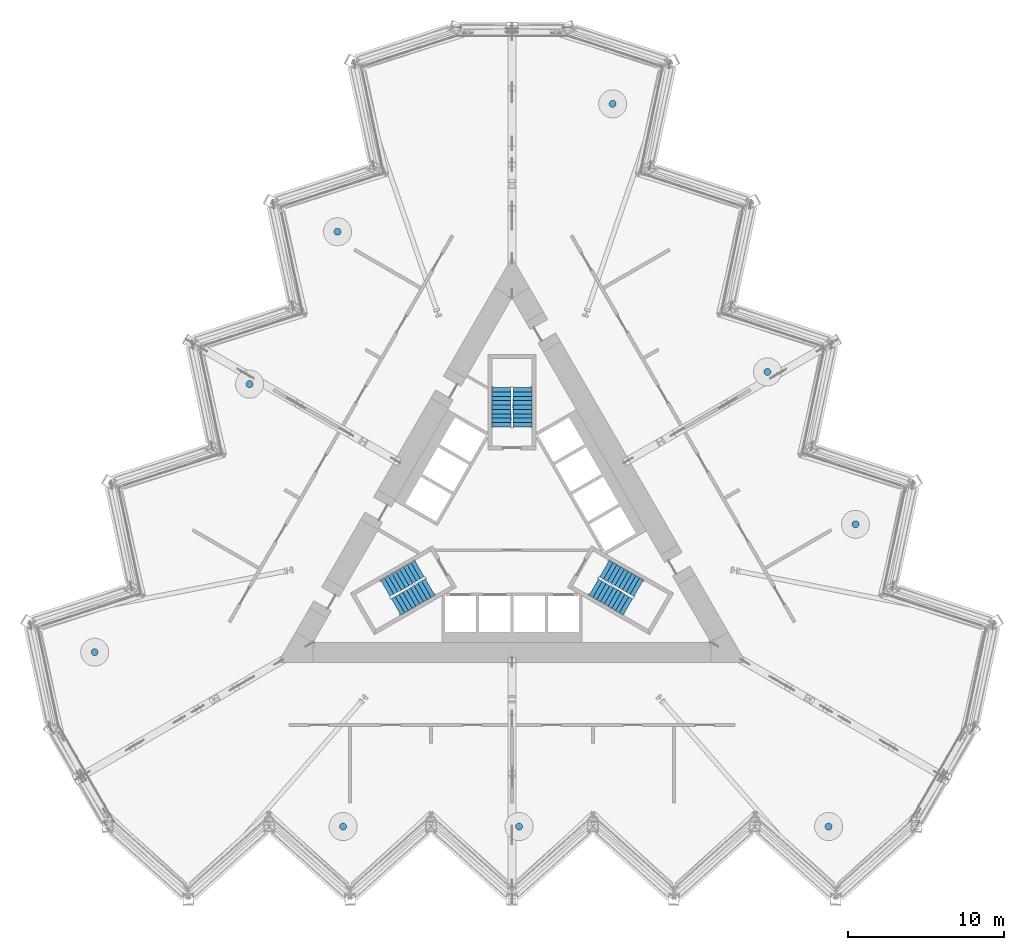
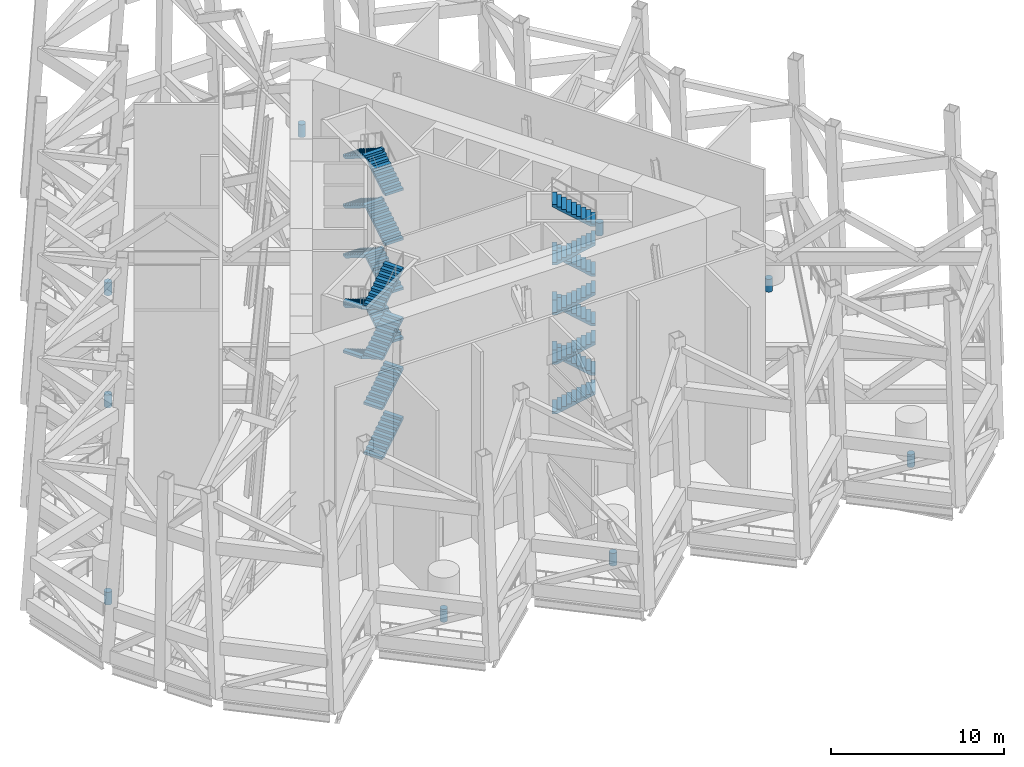
# One storey, part 10 of 19: 22 stair flights, 9 discrete accessories, 3 elements without a shape of their own.
"""IFC4 building model written with IfcOpenShell, lengths in metres."""

from ifc_helpers import new_model, si_unit, direction, frame, origin, origin_2d, place, context, subcontext, project, spatial, polyline, circle, outline, extrude, material, material_profile, profile_set, type_object, element, aggregate, save


model = new_model("IFC4")

# Units and contexts
model_context = context("Model", 3, precision=1e-05, world=origin(), true_north=direction((0.0, 1.0)))
body_context = subcontext(model_context, "Body", "Model", "MODEL_VIEW")
ifc_project = project(units=[si_unit("LENGTHUNIT", "METRE"), si_unit("AREAUNIT", "SQUARE_METRE"), si_unit("VOLUMEUNIT", "CUBIC_METRE"), si_unit("PLANEANGLEUNIT", "RADIAN"), si_unit("MASSUNIT", "GRAM", prefix="KILO")], contexts=[model_context])

# Site, building, storey
site_placement = place(None, origin())
site = spatial("IfcSite", under=ifc_project, at=site_placement, CompositionType="ELEMENT")
building_placement = place(site_placement, origin())
building = spatial("IfcBuilding", under=site, at=building_placement, Name="Cormorant Prow Tower", CompositionType="ELEMENT")
storey_placement = place(building_placement, frame((0.0, 0.0, 287.800048828125)))
storey = spatial("IfcBuildingStorey", under=building, at=storey_placement, Name="L64", CompositionType="ELEMENT", Elevation=287.800048828125)

# Stair, stair flights
ifc_material_1 = material(Name="Exit stair 80 risers")
stair_type = type_object("IfcStairType", Name="Exit stair 80 risers", PredefinedType="HALF_TURN_STAIR", material=ifc_material_1)
stair_1_placement = place(storey_placement, origin())
stair_1 = element("IfcStair", 1, at=stair_1_placement, inside=storey, type_object=stair_type, Name="L64 Exit stair ST1", PredefinedType="HALF_TURN_STAIR")
ifc_material_2 = material(Name="Concrete 5000 psi", Category="concrete")
stair_flight_type = type_object("IfcStairFlightType", Name="Stair flight 1219", PredefinedType="STRAIGHT", material=ifc_material_2)
stair_flight_1_placement = place(storey_placement, frame((-7.43115234375, -5.080810546875, 1.75), z_axis=(0.0, 0.0, 1.0), x_axis=(0.866025403784, 0.5, 0.0)))
stair_flight_1 = element("IfcStairFlight", 2, at=stair_flight_1_placement, type_object=stair_flight_type, Name="ST1 flight 2", NumberOfRisers=10, NumberOfTreads=9, PredefinedType="STRAIGHT", RiserHeight=0.175, TreadLength=0.28, context=body_context, shape_type="SweptSolid", body=[
    extrude(outline(polyline([(0.0, 0.0), (0.0, 0.175048828125), (0.280029296875, 0.175048828125), (0.280029296875, 0.35009765625), (0.56005859375, 0.35009765625), (0.56005859375, 0.52490234375), (0.840087890625, 0.52490234375), (0.840087890625, 0.699951171875), (1.1201171875, 0.699951171875), (1.1201171875, 0.875), (1.39990234375, 0.875), (1.39990234375, 1.050048828125), (1.679931640625, 1.050048828125), (1.679931640625, 1.22509765625), (1.9599609375, 1.22509765625), (1.9599609375, 1.39990234375), (2.239990234375, 1.39990234375), (2.239990234375, 1.574951171875), (2.52001953125, 1.574951171875), (2.52001953125, 1.75), (2.52001953125, 1.398193359375), (0.28271484375, 0.0), (0.0, 0.0)])), frame((0.0, 0.609375, 0.0), z_axis=(0.0, -1.0, 0.0), x_axis=(1.0, 0.0, 0.0)), (0.0, 0.0, 1.0), 1.218994140625),
])
stair_flight_2_placement = place(storey_placement, frame((-7.43115234375, -5.080810546875, 5.25), z_axis=(0.0, 0.0, 1.0), x_axis=(0.866025403784, 0.5, 0.0)))
stair_flight_2 = element("IfcStairFlight", 3, at=stair_flight_2_placement, type_object=stair_flight_type, Name="ST1 flight 4", NumberOfRisers=10, NumberOfTreads=9, PredefinedType="STRAIGHT", RiserHeight=0.175, TreadLength=0.28, context=body_context, shape_type="SweptSolid", body=[
    extrude(outline(polyline([(0.0, 0.0), (0.0, 0.175048828125), (0.280029296875, 0.175048828125), (0.280029296875, 0.35009765625), (0.56005859375, 0.35009765625), (0.56005859375, 0.52490234375), (0.840087890625, 0.52490234375), (0.840087890625, 0.699951171875), (1.1201171875, 0.699951171875), (1.1201171875, 0.875), (1.39990234375, 0.875), (1.39990234375, 1.050048828125), (1.679931640625, 1.050048828125), (1.679931640625, 1.22509765625), (1.9599609375, 1.22509765625), (1.9599609375, 1.39990234375), (2.239990234375, 1.39990234375), (2.239990234375, 1.574951171875), (2.52001953125, 1.574951171875), (2.52001953125, 1.75), (2.52001953125, 1.398193359375), (0.28271484375, 0.0), (0.0, 0.0)])), frame((0.0, 0.609375, 0.0), z_axis=(0.0, -1.0, 0.0), x_axis=(1.0, 0.0, 0.0)), (0.0, 0.0, 1.0), 1.218994140625),
])
stair_flight_3_placement = place(storey_placement, frame((-5.93310546875, -2.635009765625, 7.0), z_axis=(0.0, 0.0, 1.0), x_axis=(-0.866025403784, -0.5, 0.0)))
stair_flight_3 = element("IfcStairFlight", 4, at=stair_flight_3_placement, type_object=stair_flight_type, Name="ST1 flight 5", NumberOfRisers=10, NumberOfTreads=9, PredefinedType="STRAIGHT", RiserHeight=0.175, TreadLength=0.28, context=body_context, shape_type="SweptSolid", body=[
    extrude(outline(polyline([(0.0, 0.0), (0.0, 0.175048828125), (0.280029296875, 0.175048828125), (0.280029296875, 0.35009765625), (0.56005859375, 0.35009765625), (0.56005859375, 0.52490234375), (0.840087890625, 0.52490234375), (0.840087890625, 0.699951171875), (1.1201171875, 0.699951171875), (1.1201171875, 0.875), (1.39990234375, 0.875), (1.39990234375, 1.050048828125), (1.679931640625, 1.050048828125), (1.679931640625, 1.22509765625), (1.9599609375, 1.22509765625), (1.9599609375, 1.39990234375), (2.239990234375, 1.39990234375), (2.239990234375, 1.574951171875), (2.52001953125, 1.574951171875), (2.52001953125, 1.75), (2.52001953125, 1.398193359375), (0.28271484375, 0.0), (0.0, 0.0)])), frame((0.0, 0.609375, 0.0), z_axis=(0.0, -1.0, 0.0), x_axis=(1.0, 0.0, 0.0)), (0.0, 0.0, 1.0), 1.218994140625),
])
stair_flight_4_placement = place(storey_placement, frame((-7.43115234375, -5.080810546875, 8.75), z_axis=(0.0, 0.0, 1.0), x_axis=(0.866025403784, 0.5, 0.0)))
stair_flight_4 = element("IfcStairFlight", 5, at=stair_flight_4_placement, type_object=stair_flight_type, Name="ST1 flight 6", NumberOfRisers=10, NumberOfTreads=9, PredefinedType="STRAIGHT", RiserHeight=0.175, TreadLength=0.28, context=body_context, shape_type="SweptSolid", body=[
    extrude(outline(polyline([(0.0, 0.0), (0.0, 0.175048828125), (0.280029296875, 0.175048828125), (0.280029296875, 0.35009765625), (0.56005859375, 0.35009765625), (0.56005859375, 0.52490234375), (0.840087890625, 0.52490234375), (0.840087890625, 0.699951171875), (1.1201171875, 0.699951171875), (1.1201171875, 0.875), (1.39990234375, 0.875), (1.39990234375, 1.050048828125), (1.679931640625, 1.050048828125), (1.679931640625, 1.22509765625), (1.9599609375, 1.22509765625), (1.9599609375, 1.39990234375), (2.239990234375, 1.39990234375), (2.239990234375, 1.574951171875), (2.52001953125, 1.574951171875), (2.52001953125, 1.75), (2.52001953125, 1.398193359375), (0.28271484375, 0.0), (0.0, 0.0)])), frame((0.0, 0.609375, 0.0), z_axis=(0.0, -1.0, 0.0), x_axis=(1.0, 0.0, 0.0)), (0.0, 0.0, 1.0), 1.218994140625),
])
stair_flight_5_placement = place(storey_placement, frame((-5.93310546875, -2.635009765625, 10.5), z_axis=(0.0, 0.0, 1.0), x_axis=(-0.866025403784, -0.5, 0.0)))
stair_flight_5 = element("IfcStairFlight", 6, at=stair_flight_5_placement, type_object=stair_flight_type, Name="ST1 flight 7", NumberOfRisers=10, NumberOfTreads=9, PredefinedType="STRAIGHT", RiserHeight=0.175, TreadLength=0.28, context=body_context, shape_type="SweptSolid", body=[
    extrude(outline(polyline([(0.0, 0.0), (0.0, 0.175048828125), (0.280029296875, 0.175048828125), (0.280029296875, 0.35009765625), (0.56005859375, 0.35009765625), (0.56005859375, 0.52490234375), (0.840087890625, 0.52490234375), (0.840087890625, 0.699951171875), (1.1201171875, 0.699951171875), (1.1201171875, 0.875), (1.39990234375, 0.875), (1.39990234375, 1.050048828125), (1.679931640625, 1.050048828125), (1.679931640625, 1.22509765625), (1.9599609375, 1.22509765625), (1.9599609375, 1.39990234375), (2.239990234375, 1.39990234375), (2.239990234375, 1.574951171875), (2.52001953125, 1.574951171875), (2.52001953125, 1.75), (2.52001953125, 1.398193359375), (0.28271484375, 0.0), (0.0, 0.0)])), frame((0.0, 0.609375, 0.0), z_axis=(0.0, -1.0, 0.0), x_axis=(1.0, 0.0, 0.0)), (0.0, 0.0, 1.0), 1.218994140625),
])
stair_flight_6_placement = place(storey_placement, frame((-7.43115234375, -5.080810546875, 12.25), z_axis=(0.0, 0.0, 1.0), x_axis=(0.866025403784, 0.5, 0.0)))
stair_flight_6 = element("IfcStairFlight", 7, at=stair_flight_6_placement, type_object=stair_flight_type, Name="ST1 flight 8", NumberOfRisers=10, NumberOfTreads=9, PredefinedType="STRAIGHT", RiserHeight=0.175, TreadLength=0.28, context=body_context, shape_type="SweptSolid", body=[
    extrude(outline(polyline([(0.0, 0.0), (0.0, 0.175048828125), (0.280029296875, 0.175048828125), (0.280029296875, 0.35009765625), (0.56005859375, 0.35009765625), (0.56005859375, 0.52490234375), (0.840087890625, 0.52490234375), (0.840087890625, 0.699951171875), (1.1201171875, 0.699951171875), (1.1201171875, 0.875), (1.39990234375, 0.875), (1.39990234375, 1.050048828125), (1.679931640625, 1.050048828125), (1.679931640625, 1.22509765625), (1.9599609375, 1.22509765625), (1.9599609375, 1.39990234375), (2.239990234375, 1.39990234375), (2.239990234375, 1.574951171875), (2.52001953125, 1.574951171875), (2.52001953125, 1.75), (2.52001953125, 1.398193359375), (0.28271484375, 0.0), (0.0, 0.0)])), frame((0.0, 0.609375, 0.0), z_axis=(0.0, -1.0, 0.0), x_axis=(1.0, 0.0, 0.0)), (0.0, 0.0, 1.0), 1.218994140625),
])
aggregate(stair_1, [stair_flight_1, stair_flight_2, stair_flight_3, stair_flight_4, stair_flight_5, stair_flight_6])

stair_2_placement = place(storey_placement, origin())
stair_2 = element("IfcStair", 8, at=stair_2_placement, inside=storey, type_object=stair_type, Name="L64 Exit stair ST2", PredefinedType="HALF_TURN_STAIR")
stair_flight_7_placement = place(storey_placement, frame((5.24853515625, -3.82080078125, 0.0), z_axis=(0.0, 0.0, 1.0), x_axis=(0.866025403784, -0.5, 0.0)))
stair_flight_7 = element("IfcStairFlight", 9, at=stair_flight_7_placement, type_object=stair_flight_type, Name="ST2 flight 1", NumberOfRisers=10, NumberOfTreads=9, PredefinedType="STRAIGHT", RiserHeight=0.175, TreadLength=0.28, context=body_context, shape_type="SweptSolid", body=[
    extrude(outline(polyline([(0.0, 0.0), (0.0, 0.175048828125), (0.280029296875, 0.175048828125), (0.280029296875, 0.35009765625), (0.56005859375, 0.35009765625), (0.56005859375, 0.52490234375), (0.840087890625, 0.52490234375), (0.840087890625, 0.699951171875), (1.1201171875, 0.699951171875), (1.1201171875, 0.875), (1.39990234375, 0.875), (1.39990234375, 1.050048828125), (1.679931640625, 1.050048828125), (1.679931640625, 1.22509765625), (1.9599609375, 1.22509765625), (1.9599609375, 1.39990234375), (2.239990234375, 1.39990234375), (2.239990234375, 1.574951171875), (2.52001953125, 1.574951171875), (2.52001953125, 1.75), (2.52001953125, 1.398193359375), (0.28271484375, 0.0), (0.0, 0.0)])), frame((0.0, 0.609375, 0.0), z_axis=(0.0, -1.0, 0.0), x_axis=(1.0, 0.0, 0.0)), (0.0, 0.0, 1.0), 1.218994140625),
])
stair_flight_8_placement = place(storey_placement, frame((8.115478515625, -3.89501953125, 1.75), z_axis=(0.0, 0.0, 1.0), x_axis=(-0.866025403784, 0.5, 0.0)))
stair_flight_8 = element("IfcStairFlight", 10, at=stair_flight_8_placement, type_object=stair_flight_type, Name="ST2 flight 2", NumberOfRisers=10, NumberOfTreads=9, PredefinedType="STRAIGHT", RiserHeight=0.175, TreadLength=0.28, context=body_context, shape_type="SweptSolid", body=[
    extrude(outline(polyline([(0.0, 0.0), (0.0, 0.175048828125), (0.280029296875, 0.175048828125), (0.280029296875, 0.35009765625), (0.56005859375, 0.35009765625), (0.56005859375, 0.52490234375), (0.840087890625, 0.52490234375), (0.840087890625, 0.699951171875), (1.1201171875, 0.699951171875), (1.1201171875, 0.875), (1.39990234375, 0.875), (1.39990234375, 1.050048828125), (1.679931640625, 1.050048828125), (1.679931640625, 1.22509765625), (1.9599609375, 1.22509765625), (1.9599609375, 1.39990234375), (2.239990234375, 1.39990234375), (2.239990234375, 1.574951171875), (2.52001953125, 1.574951171875), (2.52001953125, 1.75), (2.52001953125, 1.398193359375), (0.28271484375, 0.0), (0.0, 0.0)])), frame((0.0, 0.609375, 0.0), z_axis=(0.0, -1.0, 0.0), x_axis=(1.0, 0.0, 0.0)), (0.0, 0.0, 1.0), 1.218994140625),
])
stair_flight_9_placement = place(storey_placement, frame((5.24853515625, -3.82080078125, 3.5), z_axis=(0.0, 0.0, 1.0), x_axis=(0.866025403784, -0.5, 0.0)))
stair_flight_9 = element("IfcStairFlight", 11, at=stair_flight_9_placement, type_object=stair_flight_type, Name="ST2 flight 3", NumberOfRisers=10, NumberOfTreads=9, PredefinedType="STRAIGHT", RiserHeight=0.175, TreadLength=0.28, context=body_context, shape_type="SweptSolid", body=[
    extrude(outline(polyline([(0.0, 0.0), (0.0, 0.175048828125), (0.280029296875, 0.175048828125), (0.280029296875, 0.35009765625), (0.56005859375, 0.35009765625), (0.56005859375, 0.52490234375), (0.840087890625, 0.52490234375), (0.840087890625, 0.699951171875), (1.1201171875, 0.699951171875), (1.1201171875, 0.875), (1.39990234375, 0.875), (1.39990234375, 1.050048828125), (1.679931640625, 1.050048828125), (1.679931640625, 1.22509765625), (1.9599609375, 1.22509765625), (1.9599609375, 1.39990234375), (2.239990234375, 1.39990234375), (2.239990234375, 1.574951171875), (2.52001953125, 1.574951171875), (2.52001953125, 1.75), (2.52001953125, 1.398193359375), (0.28271484375, 0.0), (0.0, 0.0)])), frame((0.0, 0.609375, 0.0), z_axis=(0.0, -1.0, 0.0), x_axis=(1.0, 0.0, 0.0)), (0.0, 0.0, 1.0), 1.218994140625),
])
stair_flight_10_placement = place(storey_placement, frame((8.115478515625, -3.89501953125, 5.25), z_axis=(0.0, 0.0, 1.0), x_axis=(-0.866025403784, 0.5, 0.0)))
stair_flight_10 = element("IfcStairFlight", 12, at=stair_flight_10_placement, type_object=stair_flight_type, Name="ST2 flight 4", NumberOfRisers=10, NumberOfTreads=9, PredefinedType="STRAIGHT", RiserHeight=0.175, TreadLength=0.28, context=body_context, shape_type="SweptSolid", body=[
    extrude(outline(polyline([(0.0, 0.0), (0.0, 0.175048828125), (0.280029296875, 0.175048828125), (0.280029296875, 0.35009765625), (0.56005859375, 0.35009765625), (0.56005859375, 0.52490234375), (0.840087890625, 0.52490234375), (0.840087890625, 0.699951171875), (1.1201171875, 0.699951171875), (1.1201171875, 0.875), (1.39990234375, 0.875), (1.39990234375, 1.050048828125), (1.679931640625, 1.050048828125), (1.679931640625, 1.22509765625), (1.9599609375, 1.22509765625), (1.9599609375, 1.39990234375), (2.239990234375, 1.39990234375), (2.239990234375, 1.574951171875), (2.52001953125, 1.574951171875), (2.52001953125, 1.75), (2.52001953125, 1.398193359375), (0.28271484375, 0.0), (0.0, 0.0)])), frame((0.0, 0.609375, 0.0), z_axis=(0.0, -1.0, 0.0), x_axis=(1.0, 0.0, 0.0)), (0.0, 0.0, 1.0), 1.218994140625),
])
stair_flight_11_placement = place(storey_placement, frame((5.24853515625, -3.82080078125, 7.0), z_axis=(0.0, 0.0, 1.0), x_axis=(0.866025403784, -0.5, 0.0)))
stair_flight_11 = element("IfcStairFlight", 13, at=stair_flight_11_placement, type_object=stair_flight_type, Name="ST2 flight 5", NumberOfRisers=10, NumberOfTreads=9, PredefinedType="STRAIGHT", RiserHeight=0.175, TreadLength=0.28, context=body_context, shape_type="SweptSolid", body=[
    extrude(outline(polyline([(0.0, 0.0), (0.0, 0.175048828125), (0.280029296875, 0.175048828125), (0.280029296875, 0.35009765625), (0.56005859375, 0.35009765625), (0.56005859375, 0.52490234375), (0.840087890625, 0.52490234375), (0.840087890625, 0.699951171875), (1.1201171875, 0.699951171875), (1.1201171875, 0.875), (1.39990234375, 0.875), (1.39990234375, 1.050048828125), (1.679931640625, 1.050048828125), (1.679931640625, 1.22509765625), (1.9599609375, 1.22509765625), (1.9599609375, 1.39990234375), (2.239990234375, 1.39990234375), (2.239990234375, 1.574951171875), (2.52001953125, 1.574951171875), (2.52001953125, 1.75), (2.52001953125, 1.398193359375), (0.28271484375, 0.0), (0.0, 0.0)])), frame((0.0, 0.609375, 0.0), z_axis=(0.0, -1.0, 0.0), x_axis=(1.0, 0.0, 0.0)), (0.0, 0.0, 1.0), 1.218994140625),
])
stair_flight_12_placement = place(storey_placement, frame((8.115478515625, -3.89501953125, 8.75), z_axis=(0.0, 0.0, 1.0), x_axis=(-0.866025403784, 0.5, 0.0)))
stair_flight_12 = element("IfcStairFlight", 14, at=stair_flight_12_placement, type_object=stair_flight_type, Name="ST2 flight 6", NumberOfRisers=10, NumberOfTreads=9, PredefinedType="STRAIGHT", RiserHeight=0.175, TreadLength=0.28, context=body_context, shape_type="SweptSolid", body=[
    extrude(outline(polyline([(0.0, 0.0), (0.0, 0.175048828125), (0.280029296875, 0.175048828125), (0.280029296875, 0.35009765625), (0.56005859375, 0.35009765625), (0.56005859375, 0.52490234375), (0.840087890625, 0.52490234375), (0.840087890625, 0.699951171875), (1.1201171875, 0.699951171875), (1.1201171875, 0.875), (1.39990234375, 0.875), (1.39990234375, 1.050048828125), (1.679931640625, 1.050048828125), (1.679931640625, 1.22509765625), (1.9599609375, 1.22509765625), (1.9599609375, 1.39990234375), (2.239990234375, 1.39990234375), (2.239990234375, 1.574951171875), (2.52001953125, 1.574951171875), (2.52001953125, 1.75), (2.52001953125, 1.398193359375), (0.28271484375, 0.0), (0.0, 0.0)])), frame((0.0, 0.609375, 0.0), z_axis=(0.0, -1.0, 0.0), x_axis=(1.0, 0.0, 0.0)), (0.0, 0.0, 1.0), 1.218994140625),
])
stair_flight_13_placement = place(storey_placement, frame((5.24853515625, -3.82080078125, 10.5), z_axis=(0.0, 0.0, 1.0), x_axis=(0.866025403784, -0.5, 0.0)))
stair_flight_13 = element("IfcStairFlight", 15, at=stair_flight_13_placement, type_object=stair_flight_type, Name="ST2 flight 7", NumberOfRisers=10, NumberOfTreads=9, PredefinedType="STRAIGHT", RiserHeight=0.175, TreadLength=0.28, context=body_context, shape_type="SweptSolid", body=[
    extrude(outline(polyline([(0.0, 0.0), (0.0, 0.175048828125), (0.280029296875, 0.175048828125), (0.280029296875, 0.35009765625), (0.56005859375, 0.35009765625), (0.56005859375, 0.52490234375), (0.840087890625, 0.52490234375), (0.840087890625, 0.699951171875), (1.1201171875, 0.699951171875), (1.1201171875, 0.875), (1.39990234375, 0.875), (1.39990234375, 1.050048828125), (1.679931640625, 1.050048828125), (1.679931640625, 1.22509765625), (1.9599609375, 1.22509765625), (1.9599609375, 1.39990234375), (2.239990234375, 1.39990234375), (2.239990234375, 1.574951171875), (2.52001953125, 1.574951171875), (2.52001953125, 1.75), (2.52001953125, 1.398193359375), (0.28271484375, 0.0), (0.0, 0.0)])), frame((0.0, 0.609375, 0.0), z_axis=(0.0, -1.0, 0.0), x_axis=(1.0, 0.0, 0.0)), (0.0, 0.0, 1.0), 1.218994140625),
])
stair_flight_14_placement = place(storey_placement, frame((8.115478515625, -3.89501953125, 12.25), z_axis=(0.0, 0.0, 1.0), x_axis=(-0.866025403784, 0.5, 0.0)))
stair_flight_14 = element("IfcStairFlight", 16, at=stair_flight_14_placement, type_object=stair_flight_type, Name="ST2 flight 8", NumberOfRisers=10, NumberOfTreads=9, PredefinedType="STRAIGHT", RiserHeight=0.175, TreadLength=0.28, context=body_context, shape_type="SweptSolid", body=[
    extrude(outline(polyline([(0.0, 0.0), (0.0, 0.175048828125), (0.280029296875, 0.175048828125), (0.280029296875, 0.35009765625), (0.56005859375, 0.35009765625), (0.56005859375, 0.52490234375), (0.840087890625, 0.52490234375), (0.840087890625, 0.699951171875), (1.1201171875, 0.699951171875), (1.1201171875, 0.875), (1.39990234375, 0.875), (1.39990234375, 1.050048828125), (1.679931640625, 1.050048828125), (1.679931640625, 1.22509765625), (1.9599609375, 1.22509765625), (1.9599609375, 1.39990234375), (2.239990234375, 1.39990234375), (2.239990234375, 1.574951171875), (2.52001953125, 1.574951171875), (2.52001953125, 1.75), (2.52001953125, 1.398193359375), (0.28271484375, 0.0), (0.0, 0.0)])), frame((0.0, 0.609375, 0.0), z_axis=(0.0, -1.0, 0.0), x_axis=(1.0, 0.0, 0.0)), (0.0, 0.0, 1.0), 1.218994140625),
])
aggregate(stair_2, [stair_flight_7, stair_flight_8, stair_flight_9, stair_flight_10, stair_flight_11, stair_flight_12, stair_flight_13, stair_flight_14])

stair_3_placement = place(storey_placement, origin())
stair_3 = element("IfcStair", 17, at=stair_3_placement, inside=storey, type_object=stair_type, Name="L64 Exit stair ST3", PredefinedType="HALF_TURN_STAIR")
stair_flight_15_placement = place(storey_placement, frame((0.6845703125, 6.455810546875, 0.0), z_axis=(0.0, 0.0, 1.0), x_axis=(0.0, 1.0, 0.0)))
stair_flight_15 = element("IfcStairFlight", 18, at=stair_flight_15_placement, type_object=stair_flight_type, Name="ST3 flight 1", NumberOfRisers=10, NumberOfTreads=9, PredefinedType="STRAIGHT", RiserHeight=0.175, TreadLength=0.28, context=body_context, shape_type="SweptSolid", body=[
    extrude(outline(polyline([(0.0, 0.0), (0.0, 0.175048828125), (0.280029296875, 0.175048828125), (0.280029296875, 0.35009765625), (0.56005859375, 0.35009765625), (0.56005859375, 0.52490234375), (0.840087890625, 0.52490234375), (0.840087890625, 0.699951171875), (1.1201171875, 0.699951171875), (1.1201171875, 0.875), (1.39990234375, 0.875), (1.39990234375, 1.050048828125), (1.679931640625, 1.050048828125), (1.679931640625, 1.22509765625), (1.9599609375, 1.22509765625), (1.9599609375, 1.39990234375), (2.239990234375, 1.39990234375), (2.239990234375, 1.574951171875), (2.52001953125, 1.574951171875), (2.52001953125, 1.75), (2.52001953125, 1.398193359375), (0.28271484375, 0.0), (0.0, 0.0)])), frame((0.0, 0.609375, 0.0), z_axis=(0.0, -1.0, 0.0), x_axis=(1.0, 0.0, 0.0)), (0.0, 0.0, 1.0), 1.218994140625),
])
stair_flight_16_placement = place(storey_placement, frame((-0.6845703125, 8.975830078125, 1.75), z_axis=(0.0, 0.0, 1.0), x_axis=(0.0, -1.0, 0.0)))
stair_flight_16 = element("IfcStairFlight", 19, at=stair_flight_16_placement, type_object=stair_flight_type, Name="ST3 flight 2", NumberOfRisers=10, NumberOfTreads=9, PredefinedType="STRAIGHT", RiserHeight=0.175, TreadLength=0.28, context=body_context, shape_type="SweptSolid", body=[
    extrude(outline(polyline([(0.0, 0.0), (0.0, 0.175048828125), (0.280029296875, 0.175048828125), (0.280029296875, 0.35009765625), (0.56005859375, 0.35009765625), (0.56005859375, 0.52490234375), (0.840087890625, 0.52490234375), (0.840087890625, 0.699951171875), (1.1201171875, 0.699951171875), (1.1201171875, 0.875), (1.39990234375, 0.875), (1.39990234375, 1.050048828125), (1.679931640625, 1.050048828125), (1.679931640625, 1.22509765625), (1.9599609375, 1.22509765625), (1.9599609375, 1.39990234375), (2.239990234375, 1.39990234375), (2.239990234375, 1.574951171875), (2.52001953125, 1.574951171875), (2.52001953125, 1.75), (2.52001953125, 1.398193359375), (0.28271484375, 0.0), (0.0, 0.0)])), frame((0.0, 0.609375, 0.0), z_axis=(0.0, -1.0, 0.0), x_axis=(1.0, 0.0, 0.0)), (0.0, 0.0, 1.0), 1.218994140625),
])
stair_flight_17_placement = place(storey_placement, frame((0.6845703125, 6.455810546875, 3.5), z_axis=(0.0, 0.0, 1.0), x_axis=(0.0, 1.0, 0.0)))
stair_flight_17 = element("IfcStairFlight", 20, at=stair_flight_17_placement, type_object=stair_flight_type, Name="ST3 flight 3", NumberOfRisers=10, NumberOfTreads=9, PredefinedType="STRAIGHT", RiserHeight=0.175, TreadLength=0.28, context=body_context, shape_type="SweptSolid", body=[
    extrude(outline(polyline([(0.0, 0.0), (0.0, 0.175048828125), (0.280029296875, 0.175048828125), (0.280029296875, 0.35009765625), (0.56005859375, 0.35009765625), (0.56005859375, 0.52490234375), (0.840087890625, 0.52490234375), (0.840087890625, 0.699951171875), (1.1201171875, 0.699951171875), (1.1201171875, 0.875), (1.39990234375, 0.875), (1.39990234375, 1.050048828125), (1.679931640625, 1.050048828125), (1.679931640625, 1.22509765625), (1.9599609375, 1.22509765625), (1.9599609375, 1.39990234375), (2.239990234375, 1.39990234375), (2.239990234375, 1.574951171875), (2.52001953125, 1.574951171875), (2.52001953125, 1.75), (2.52001953125, 1.398193359375), (0.28271484375, 0.0), (0.0, 0.0)])), frame((0.0, 0.609375, 0.0), z_axis=(0.0, -1.0, 0.0), x_axis=(1.0, 0.0, 0.0)), (0.0, 0.0, 1.0), 1.218994140625),
])
stair_flight_18_placement = place(storey_placement, frame((-0.6845703125, 8.975830078125, 5.25), z_axis=(0.0, 0.0, 1.0), x_axis=(0.0, -1.0, 0.0)))
stair_flight_18 = element("IfcStairFlight", 21, at=stair_flight_18_placement, type_object=stair_flight_type, Name="ST3 flight 4", NumberOfRisers=10, NumberOfTreads=9, PredefinedType="STRAIGHT", RiserHeight=0.175, TreadLength=0.28, context=body_context, shape_type="SweptSolid", body=[
    extrude(outline(polyline([(0.0, 0.0), (0.0, 0.175048828125), (0.280029296875, 0.175048828125), (0.280029296875, 0.35009765625), (0.56005859375, 0.35009765625), (0.56005859375, 0.52490234375), (0.840087890625, 0.52490234375), (0.840087890625, 0.699951171875), (1.1201171875, 0.699951171875), (1.1201171875, 0.875), (1.39990234375, 0.875), (1.39990234375, 1.050048828125), (1.679931640625, 1.050048828125), (1.679931640625, 1.22509765625), (1.9599609375, 1.22509765625), (1.9599609375, 1.39990234375), (2.239990234375, 1.39990234375), (2.239990234375, 1.574951171875), (2.52001953125, 1.574951171875), (2.52001953125, 1.75), (2.52001953125, 1.398193359375), (0.28271484375, 0.0), (0.0, 0.0)])), frame((0.0, 0.609375, 0.0), z_axis=(0.0, -1.0, 0.0), x_axis=(1.0, 0.0, 0.0)), (0.0, 0.0, 1.0), 1.218994140625),
])
stair_flight_19_placement = place(storey_placement, frame((0.6845703125, 6.455810546875, 7.0), z_axis=(0.0, 0.0, 1.0), x_axis=(0.0, 1.0, 0.0)))
stair_flight_19 = element("IfcStairFlight", 22, at=stair_flight_19_placement, type_object=stair_flight_type, Name="ST3 flight 5", NumberOfRisers=10, NumberOfTreads=9, PredefinedType="STRAIGHT", RiserHeight=0.175, TreadLength=0.28, context=body_context, shape_type="SweptSolid", body=[
    extrude(outline(polyline([(0.0, 0.0), (0.0, 0.175048828125), (0.280029296875, 0.175048828125), (0.280029296875, 0.35009765625), (0.56005859375, 0.35009765625), (0.56005859375, 0.52490234375), (0.840087890625, 0.52490234375), (0.840087890625, 0.699951171875), (1.1201171875, 0.699951171875), (1.1201171875, 0.875), (1.39990234375, 0.875), (1.39990234375, 1.050048828125), (1.679931640625, 1.050048828125), (1.679931640625, 1.22509765625), (1.9599609375, 1.22509765625), (1.9599609375, 1.39990234375), (2.239990234375, 1.39990234375), (2.239990234375, 1.574951171875), (2.52001953125, 1.574951171875), (2.52001953125, 1.75), (2.52001953125, 1.398193359375), (0.28271484375, 0.0), (0.0, 0.0)])), frame((0.0, 0.609375, 0.0), z_axis=(0.0, -1.0, 0.0), x_axis=(1.0, 0.0, 0.0)), (0.0, 0.0, 1.0), 1.218994140625),
])
stair_flight_20_placement = place(storey_placement, frame((-0.6845703125, 8.975830078125, 8.75), z_axis=(0.0, 0.0, 1.0), x_axis=(0.0, -1.0, 0.0)))
stair_flight_20 = element("IfcStairFlight", 23, at=stair_flight_20_placement, type_object=stair_flight_type, Name="ST3 flight 6", NumberOfRisers=10, NumberOfTreads=9, PredefinedType="STRAIGHT", RiserHeight=0.175, TreadLength=0.28, context=body_context, shape_type="SweptSolid", body=[
    extrude(outline(polyline([(0.0, 0.0), (0.0, 0.175048828125), (0.280029296875, 0.175048828125), (0.280029296875, 0.35009765625), (0.56005859375, 0.35009765625), (0.56005859375, 0.52490234375), (0.840087890625, 0.52490234375), (0.840087890625, 0.699951171875), (1.1201171875, 0.699951171875), (1.1201171875, 0.875), (1.39990234375, 0.875), (1.39990234375, 1.050048828125), (1.679931640625, 1.050048828125), (1.679931640625, 1.22509765625), (1.9599609375, 1.22509765625), (1.9599609375, 1.39990234375), (2.239990234375, 1.39990234375), (2.239990234375, 1.574951171875), (2.52001953125, 1.574951171875), (2.52001953125, 1.75), (2.52001953125, 1.398193359375), (0.28271484375, 0.0), (0.0, 0.0)])), frame((0.0, 0.609375, 0.0), z_axis=(0.0, -1.0, 0.0), x_axis=(1.0, 0.0, 0.0)), (0.0, 0.0, 1.0), 1.218994140625),
])
stair_flight_21_placement = place(storey_placement, frame((0.6845703125, 6.455810546875, 10.5), z_axis=(0.0, 0.0, 1.0), x_axis=(0.0, 1.0, 0.0)))
stair_flight_21 = element("IfcStairFlight", 24, at=stair_flight_21_placement, type_object=stair_flight_type, Name="ST3 flight 7", NumberOfRisers=10, NumberOfTreads=9, PredefinedType="STRAIGHT", RiserHeight=0.175, TreadLength=0.28, context=body_context, shape_type="SweptSolid", body=[
    extrude(outline(polyline([(0.0, 0.0), (0.0, 0.175048828125), (0.280029296875, 0.175048828125), (0.280029296875, 0.35009765625), (0.56005859375, 0.35009765625), (0.56005859375, 0.52490234375), (0.840087890625, 0.52490234375), (0.840087890625, 0.699951171875), (1.1201171875, 0.699951171875), (1.1201171875, 0.875), (1.39990234375, 0.875), (1.39990234375, 1.050048828125), (1.679931640625, 1.050048828125), (1.679931640625, 1.22509765625), (1.9599609375, 1.22509765625), (1.9599609375, 1.39990234375), (2.239990234375, 1.39990234375), (2.239990234375, 1.574951171875), (2.52001953125, 1.574951171875), (2.52001953125, 1.75), (2.52001953125, 1.398193359375), (0.28271484375, 0.0), (0.0, 0.0)])), frame((0.0, 0.609375, 0.0), z_axis=(0.0, -1.0, 0.0), x_axis=(1.0, 0.0, 0.0)), (0.0, 0.0, 1.0), 1.218994140625),
])
stair_flight_22_placement = place(storey_placement, frame((-0.6845703125, 8.975830078125, 12.25), z_axis=(0.0, 0.0, 1.0), x_axis=(0.0, -1.0, 0.0)))
stair_flight_22 = element("IfcStairFlight", 25, at=stair_flight_22_placement, type_object=stair_flight_type, Name="ST3 flight 8", NumberOfRisers=10, NumberOfTreads=9, PredefinedType="STRAIGHT", RiserHeight=0.175, TreadLength=0.28, context=body_context, shape_type="SweptSolid", body=[
    extrude(outline(polyline([(0.0, 0.0), (0.0, 0.175048828125), (0.280029296875, 0.175048828125), (0.280029296875, 0.35009765625), (0.56005859375, 0.35009765625), (0.56005859375, 0.52490234375), (0.840087890625, 0.52490234375), (0.840087890625, 0.699951171875), (1.1201171875, 0.699951171875), (1.1201171875, 0.875), (1.39990234375, 0.875), (1.39990234375, 1.050048828125), (1.679931640625, 1.050048828125), (1.679931640625, 1.22509765625), (1.9599609375, 1.22509765625), (1.9599609375, 1.39990234375), (2.239990234375, 1.39990234375), (2.239990234375, 1.574951171875), (2.52001953125, 1.574951171875), (2.52001953125, 1.75), (2.52001953125, 1.398193359375), (0.28271484375, 0.0), (0.0, 0.0)])), frame((0.0, 0.609375, 0.0), z_axis=(0.0, -1.0, 0.0), x_axis=(1.0, 0.0, 0.0)), (0.0, 0.0, 1.0), 1.218994140625),
])
aggregate(stair_3, [stair_flight_15, stair_flight_16, stair_flight_17, stair_flight_18, stair_flight_19, stair_flight_20, stair_flight_21, stair_flight_22])

# Discrete accessories
ifc_material_3 = material(Name="Aluminium 6063-T6", Category="aluminium")
ifc_material_profile = material_profile(ifc_material_3, circle(Radius=0.22509765625, at=origin_2d()), Name="Turbine mast 450")
ifc_profile_set = profile_set([ifc_material_profile], Name="Aluminium 6063-T6")
discrete_accessory_type = type_object("IfcDiscreteAccessoryType", Name="Turbine mast 450", PredefinedType="USERDEFINED", material=ifc_profile_set)
for number, where, z_axis, x_axis, name in (
    (26, (-10.829345703125, -19.173095703125, 0.0), (0.0, 0.0, 1.0), (1.0, 0.0, 0.0), "Turbine mast 1"),
    (27, (0.452880859375, -19.173095703125, 0.0), (0.0, 0.0, 1.0), (1.0, 0.0, 0.0), "Turbine mast 2"),
    (28, (20.300048828125, -19.173095703125, 0.0), (0.0, 0.0, 1.0), (1.0, 0.0, 0.0), "Turbine mast 3"),
    (29, (22.01904296875, 0.2080078125, 0.0), (0.0, 0.0, 1.0), (1.0, 0.0, 0.0), "Turbine mast 4"),
    (30, (16.3779296875, 9.978759765625, 0.0), (0.0, 0.0, 1.0), (1.0, 0.0, 0.0), "Turbine mast 5"),
    (31, (6.454345703125, 27.1669921875, 0.0), (0.0, 0.0, 1.0), (1.0, 0.0, 0.0), "Turbine mast 6"),
    (32, (-11.189697265625, 18.965087890625, 0.0), (0.0, 0.0, 1.0), (1.0, 0.0, 0.0), "Turbine mast 7"),
    (33, (-16.830810546875, 9.1943359375, 0.0), (0.0, 0.0, 1.0), (1.0, 0.0, 0.0), "Turbine mast 8"),
    (34, (-26.75439453125, -7.993896484375, 0.0), (0.0, 0.0, 1.0), (1.0, 0.0, 0.0), "Turbine mast 9"),
):
    element("IfcDiscreteAccessory", number, at=place(storey_placement, frame(where, z_axis=z_axis, x_axis=x_axis)), inside=storey, type_object=discrete_accessory_type, Name=name, ObjectType="MAST", PredefinedType="USERDEFINED", context=body_context, shape_type="SweptSolid", body=[
        extrude(circle(Radius=0.22509765625, at=origin_2d()), origin(), (0.0, 0.0, 1.0), 0.89990234375),
    ])

save(model, "model.ifc")
